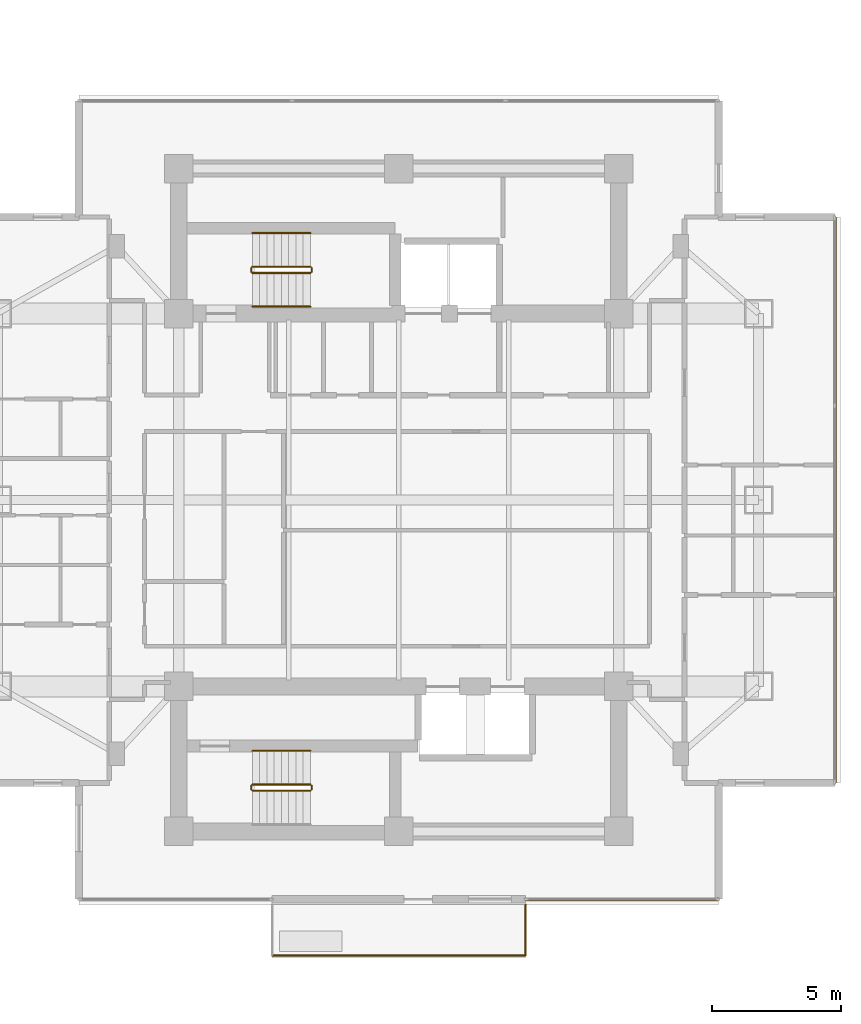
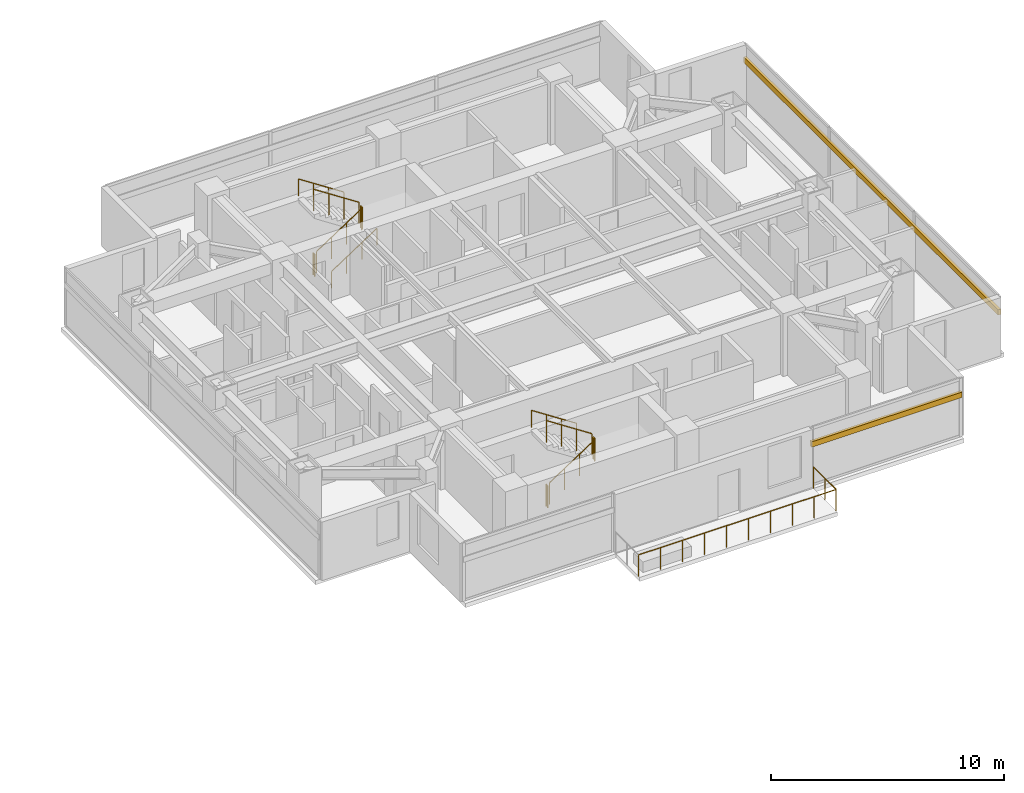
# One storey, part 23 of 24: 13 railings, 2 shading devices.
"""IFC4 building model written with IfcOpenShell, lengths in metres."""

from ifc_helpers import new_model, si_unit, direction, frame, origin, origin_2d, place, context, subcontext, project, spatial, rectangle, circle, extrude, material, material_profile, profile_set, type_object, element, save


model = new_model("IFC4")

# Units and contexts
model_context = context("Model", 3, precision=1e-05, world=origin(), true_north=direction((0.0, 1.0)))
body_context = subcontext(model_context, "Body", "Model", "MODEL_VIEW")
ifc_project = project(units=[si_unit("LENGTHUNIT", "METRE"), si_unit("AREAUNIT", "SQUARE_METRE"), si_unit("VOLUMEUNIT", "CUBIC_METRE"), si_unit("PLANEANGLEUNIT", "RADIAN"), si_unit("MASSUNIT", "GRAM", prefix="KILO")], contexts=[model_context])

# Site, building, storey
site_placement = place(None, origin())
site = spatial("IfcSite", under=ifc_project, at=site_placement, CompositionType="ELEMENT")
building_placement = place(site_placement, origin())
building = spatial("IfcBuilding", under=site, at=building_placement, Name="Mirazonda Arch Towers", CompositionType="ELEMENT")
storey_placement = place(building_placement, frame((0.0, 0.0, 118.10009765625)))
storey = spatial("IfcBuildingStorey", under=building, at=storey_placement, Name="L33", CompositionType="ELEMENT", Elevation=118.10009765625)

# Shading devices
ifc_material_1 = material(Name="Kiln-Fired Architectural Terracotta", Category="masonry")
ifc_material_profile = material_profile(ifc_material_1, rectangle(XDim=0.139892578125, YDim=0.280029296875, at=origin_2d()), Name="TERRA-BAG-140x280")
ifc_profile_set = profile_set([ifc_material_profile], Name="Kiln-Fired Architectural Terracotta")
shading_device_type = type_object("IfcShadingDeviceType", Name="BAGUETTE-3", PredefinedType="USERDEFINED", material=ifc_profile_set)
shading_device_1_placement = place(storey_placement, frame((88.8583984375, 12.5810546875, 2.203125), z_axis=(-1.0, 0.0, 0.0), x_axis=(0.0, -1.0, 0.0)))
element("IfcShadingDevice", 1, at=shading_device_1_placement, inside=storey, type_object=shading_device_type, Name="L33 Glazed Terracotta Sun-Screen Baguette CW-L33-T2-SA", ObjectType="BAGUETTE", PredefinedType="USERDEFINED", context=body_context, shape_type="SweptSolid", body=[
    extrude(rectangle(XDim=0.139892578125, YDim=0.280029296875, at=origin_2d()), origin(), (0.0, 0.0, 1.0), 7.468505859375),
])
shading_device_2_placement = place(storey_placement, frame((93.344970703125, 17.0673828125, 2.203125), z_axis=(0.0, 1.0, 0.0), x_axis=(-1.0, 0.0, 0.0)))
element("IfcShadingDevice", 2, at=shading_device_2_placement, inside=storey, type_object=shading_device_type, Name="L33 Glazed Terracotta Sun-Screen Baguette CW-L33-T2-E", ObjectType="BAGUETTE", PredefinedType="USERDEFINED", context=body_context, shape_type="SweptSolid", body=[
    extrude(rectangle(XDim=0.139892578125, YDim=0.280029296875, at=origin_2d()), origin(), (0.0, 0.0, 1.0), 21.865234375),
])

# Railings
ifc_material_2 = material(Name="Architectural Brushed Steel S355", Category="steel")
railing_type_1 = type_object("IfcRailingType", Name="GUARD-EXT-1150", PredefinedType="GUARDRAIL", material=ifc_material_2)
railing_1_placement = place(storey_placement, frame((81.39990234375, 12.37109375, 0.0)))
element("IfcRailing", 3, at=railing_1_placement, inside=storey, type_object=railing_type_1, Name="L33 T2 Sky-Terrace Guard 01", PredefinedType="GUARDRAIL", context=body_context, shape_type="SweptSolid", body=[
    extrude(circle(Radius=0.02392578125, at=origin_2d()), frame((0.0, 0.0, 1.1259765625), z_axis=(0.0, -1.0, 0.0), x_axis=(1.0, 0.0, 0.0)), (0.0, 0.0, 1.0), 1.960205078125),
    extrude(circle(Radius=0.02099609375, at=origin_2d()), origin(), (0.0, 0.0, 1.0), 1.101806640625),
    extrude(circle(Radius=0.02099609375, at=origin_2d()), frame((0.0, -0.97998046875, 0.0)), (0.0, 0.0, 1.0), 1.101806640625),
    extrude(circle(Radius=0.02099609375, at=origin_2d()), frame((0.0, -1.960205078125, 0.0)), (0.0, 0.0, 1.0), 1.101806640625),
])
railing_2_placement = place(storey_placement, frame((81.39990234375, 10.410888671875, 0.0)))
element("IfcRailing", 4, at=railing_2_placement, inside=storey, type_object=railing_type_1, Name="L33 T2 Sky-Terrace Guard 02", PredefinedType="GUARDRAIL", context=body_context, shape_type="SweptSolid", body=[
    extrude(circle(Radius=0.02392578125, at=origin_2d()), frame((0.0, 0.0, 1.1259765625), z_axis=(-1.0, 0.0, 0.0), x_axis=(0.0, -1.0, 0.0)), (0.0, 0.0, 1.0), 9.7998046875),
    extrude(circle(Radius=0.02099609375, at=origin_2d()), origin(), (0.0, 0.0, 1.0), 1.101806640625),
    extrude(circle(Radius=0.02099609375, at=origin_2d()), frame((-1.0888671875, 0.0, 0.0)), (0.0, 0.0, 1.0), 1.101806640625),
    extrude(circle(Radius=0.02099609375, at=origin_2d()), frame((-2.177734375, 0.0, 0.0)), (0.0, 0.0, 1.0), 1.101806640625),
    extrude(circle(Radius=0.02099609375, at=origin_2d()), frame((-3.2666015625, 0.0, 0.0)), (0.0, 0.0, 1.0), 1.101806640625),
    extrude(circle(Radius=0.02099609375, at=origin_2d()), frame((-4.35546875, 0.0, 0.0)), (0.0, 0.0, 1.0), 1.101806640625),
    extrude(circle(Radius=0.02099609375, at=origin_2d()), frame((-5.4443359375, 0.0, 0.0)), (0.0, 0.0, 1.0), 1.101806640625),
    extrude(circle(Radius=0.02099609375, at=origin_2d()), frame((-6.533203125, 0.0, 0.0)), (0.0, 0.0, 1.0), 1.101806640625),
    extrude(circle(Radius=0.02099609375, at=origin_2d()), frame((-7.6220703125, 0.0, 0.0)), (0.0, 0.0, 1.0), 1.101806640625),
    extrude(circle(Radius=0.02099609375, at=origin_2d()), frame((-8.7109375, 0.0, 0.0)), (0.0, 0.0, 1.0), 1.101806640625),
    extrude(circle(Radius=0.02099609375, at=origin_2d()), frame((-9.7998046875, 0.0, 0.0)), (0.0, 0.0, 1.0), 1.101806640625),
])
railing_type_2 = type_object("IfcRailingType", Name="GUARD-STAIR-1120", PredefinedType="GUARDRAIL", material=ifc_material_2)
railing_3_placement = place(storey_placement, frame((70.85009765625, 36.77001953125, 0.183349609375)))
element("IfcRailing", 5, at=railing_3_placement, inside=storey, type_object=railing_type_2, Name="L33 ST-T2N stair guard 1", PredefinedType="GUARDRAIL", context=body_context, shape_type="SweptSolid", body=[
    extrude(circle(Radius=0.02392578125, at=origin_2d()), frame((0.0, 0.0, 1.1259765625), z_axis=(0.836636935527, 0.0, 0.547757827979), x_axis=(0.0, 1.0, 0.0)), (0.0, 0.0, 1.0), 2.677490234375),
    extrude(circle(Radius=0.02099609375, at=origin_2d()), origin(), (0.0, 0.0, 1.0), 1.101806640625),
    extrude(circle(Radius=0.02099609375, at=origin_2d()), frame((0.74658203125, 0.0, 0.48876953125)), (0.0, 0.0, 1.0), 1.101806640625),
    extrude(circle(Radius=0.02099609375, at=origin_2d()), frame((1.493408203125, 0.0, 0.977783203125)), (0.0, 0.0, 1.0), 1.101806640625),
    extrude(circle(Radius=0.02099609375, at=origin_2d()), frame((2.239990234375, 0.0, 1.466552734375)), (0.0, 0.0, 1.0), 1.101806640625),
])
railing_4_placement = place(storey_placement, frame((73.139892578125, 36.820068359375, 1.64990234375)))
element("IfcRailing", 6, at=railing_4_placement, inside=storey, type_object=railing_type_2, Name="L33 ST-T2N stair guard 2", PredefinedType="GUARDRAIL", context=body_context, shape_type="SweptSolid", body=[
    extrude(circle(Radius=0.02392578125, at=origin_2d()), frame((0.0, 0.0, 1.1259765625), z_axis=(0.0, 1.0, 0.0), x_axis=(-1.0, 0.0, 0.0)), (0.0, 0.0, 1.0), 0.139892578125),
    extrude(circle(Radius=0.02099609375, at=origin_2d()), origin(), (0.0, 0.0, 1.0), 1.101806640625),
    extrude(circle(Radius=0.02099609375, at=origin_2d()), frame((0.0, 0.139892578125, 0.0)), (0.0, 0.0, 1.0), 1.101806640625),
])
railing_5_placement = place(storey_placement, frame((73.090087890625, 37.010009765625, 1.833251953125)))
element("IfcRailing", 7, at=railing_5_placement, inside=storey, type_object=railing_type_2, Name="L33 ST-T2N stair guard 3", PredefinedType="GUARDRAIL", context=body_context, shape_type="SweptSolid", body=[
    extrude(circle(Radius=0.02392578125, at=origin_2d()), frame((0.0, 0.0, 1.1259765625), z_axis=(-0.836636935527, 0.0, 0.547757827979), x_axis=(0.0, -1.0, 0.0)), (0.0, 0.0, 1.0), 2.677490234375),
    extrude(circle(Radius=0.02099609375, at=origin_2d()), origin(), (0.0, 0.0, 1.0), 1.101806640625),
    extrude(circle(Radius=0.02099609375, at=origin_2d()), frame((-0.74658203125, 0.0, 0.48876953125)), (0.0, 0.0, 1.0), 1.101806640625),
    extrude(circle(Radius=0.02099609375, at=origin_2d()), frame((-1.493408203125, 0.0, 0.977783203125)), (0.0, 0.0, 1.0), 1.101806640625),
    extrude(circle(Radius=0.02099609375, at=origin_2d()), frame((-2.239990234375, 0.0, 1.466552734375)), (0.0, 0.0, 1.0), 1.101806640625),
])
railing_6_placement = place(storey_placement, frame((70.800048828125, 36.820068359375, 0.0)))
element("IfcRailing", 8, at=railing_6_placement, inside=storey, type_object=railing_type_2, Name="L33 ST-T2N stair guard 4", PredefinedType="GUARDRAIL", context=body_context, shape_type="SweptSolid", body=[
    extrude(circle(Radius=0.02392578125, at=origin_2d()), frame((0.0, 0.0, 1.1259765625), z_axis=(0.0, 1.0, 0.0), x_axis=(-1.0, 0.0, 0.0)), (0.0, 0.0, 1.0), 0.139892578125),
    extrude(circle(Radius=0.02099609375, at=origin_2d()), origin(), (0.0, 0.0, 1.0), 1.101806640625),
    extrude(circle(Radius=0.02099609375, at=origin_2d()), frame((0.0, 0.139892578125, 0.0)), (0.0, 0.0, 1.0), 1.101806640625),
])
railing_7_placement = place(storey_placement, frame((70.85009765625, 16.77001953125, 0.183349609375)))
element("IfcRailing", 9, at=railing_7_placement, inside=storey, type_object=railing_type_2, Name="L33 ST-T2S stair guard 1", PredefinedType="GUARDRAIL", context=body_context, shape_type="SweptSolid", body=[
    extrude(circle(Radius=0.02392578125, at=origin_2d()), frame((0.0, 0.0, 1.1259765625), z_axis=(0.836636935527, 0.0, 0.547757827979), x_axis=(0.0, 1.0, 0.0)), (0.0, 0.0, 1.0), 2.677490234375),
    extrude(circle(Radius=0.02099609375, at=origin_2d()), origin(), (0.0, 0.0, 1.0), 1.101806640625),
    extrude(circle(Radius=0.02099609375, at=origin_2d()), frame((0.74658203125, 0.0, 0.48876953125)), (0.0, 0.0, 1.0), 1.101806640625),
    extrude(circle(Radius=0.02099609375, at=origin_2d()), frame((1.493408203125, 0.0, 0.977783203125)), (0.0, 0.0, 1.0), 1.101806640625),
    extrude(circle(Radius=0.02099609375, at=origin_2d()), frame((2.239990234375, 0.0, 1.466552734375)), (0.0, 0.0, 1.0), 1.101806640625),
])
railing_8_placement = place(storey_placement, frame((73.139892578125, 16.820068359375, 1.64990234375)))
element("IfcRailing", 10, at=railing_8_placement, inside=storey, type_object=railing_type_2, Name="L33 ST-T2S stair guard 2", PredefinedType="GUARDRAIL", context=body_context, shape_type="SweptSolid", body=[
    extrude(circle(Radius=0.02392578125, at=origin_2d()), frame((0.0, 0.0, 1.1259765625), z_axis=(0.0, 1.0, 0.0), x_axis=(-1.0, 0.0, 0.0)), (0.0, 0.0, 1.0), 0.139892578125),
    extrude(circle(Radius=0.02099609375, at=origin_2d()), origin(), (0.0, 0.0, 1.0), 1.101806640625),
    extrude(circle(Radius=0.02099609375, at=origin_2d()), frame((0.0, 0.139892578125, 0.0)), (0.0, 0.0, 1.0), 1.101806640625),
])
railing_9_placement = place(storey_placement, frame((73.090087890625, 17.010009765625, 1.833251953125)))
element("IfcRailing", 11, at=railing_9_placement, inside=storey, type_object=railing_type_2, Name="L33 ST-T2S stair guard 3", PredefinedType="GUARDRAIL", context=body_context, shape_type="SweptSolid", body=[
    extrude(circle(Radius=0.02392578125, at=origin_2d()), frame((0.0, 0.0, 1.1259765625), z_axis=(-0.836636935527, 0.0, 0.547757827979), x_axis=(0.0, -1.0, 0.0)), (0.0, 0.0, 1.0), 2.677490234375),
    extrude(circle(Radius=0.02099609375, at=origin_2d()), origin(), (0.0, 0.0, 1.0), 1.101806640625),
    extrude(circle(Radius=0.02099609375, at=origin_2d()), frame((-0.74658203125, 0.0, 0.48876953125)), (0.0, 0.0, 1.0), 1.101806640625),
    extrude(circle(Radius=0.02099609375, at=origin_2d()), frame((-1.493408203125, 0.0, 0.977783203125)), (0.0, 0.0, 1.0), 1.101806640625),
    extrude(circle(Radius=0.02099609375, at=origin_2d()), frame((-2.239990234375, 0.0, 1.466552734375)), (0.0, 0.0, 1.0), 1.101806640625),
])
railing_10_placement = place(storey_placement, frame((70.800048828125, 16.820068359375, 0.0)))
element("IfcRailing", 12, at=railing_10_placement, inside=storey, type_object=railing_type_2, Name="L33 ST-T2S stair guard 4", PredefinedType="GUARDRAIL", context=body_context, shape_type="SweptSolid", body=[
    extrude(circle(Radius=0.02392578125, at=origin_2d()), frame((0.0, 0.0, 1.1259765625), z_axis=(0.0, 1.0, 0.0), x_axis=(-1.0, 0.0, 0.0)), (0.0, 0.0, 1.0), 0.139892578125),
    extrude(circle(Radius=0.02099609375, at=origin_2d()), origin(), (0.0, 0.0, 1.0), 1.101806640625),
    extrude(circle(Radius=0.02099609375, at=origin_2d()), frame((0.0, 0.139892578125, 0.0)), (0.0, 0.0, 1.0), 1.101806640625),
])
railing_type_3 = type_object("IfcRailingType", Name="HANDRAIL-915", PredefinedType="HANDRAIL", material=ifc_material_2)
railing_11_placement = place(storey_placement, frame((70.85009765625, 35.469970703125, 0.183349609375)))
element("IfcRailing", 13, at=railing_11_placement, inside=storey, type_object=railing_type_3, Name="L33 ST-T2N stair handrail 1", PredefinedType="HANDRAIL", context=body_context, shape_type="SweptSolid", body=[
    extrude(circle(Radius=0.02392578125, at=origin_2d()), frame((0.0, 0.0, 0.8759765625), z_axis=(0.836636935527, 0.0, 0.547757827979), x_axis=(0.0, 1.0, 0.0)), (0.0, 0.0, 1.0), 2.677490234375),
    extrude(circle(Radius=0.02099609375, at=origin_2d()), origin(), (0.0, 0.0, 1.0), 0.851806640625),
    extrude(circle(Radius=0.02099609375, at=origin_2d()), frame((0.74658203125, 0.0, 0.48876953125)), (0.0, 0.0, 1.0), 0.851806640625),
    extrude(circle(Radius=0.02099609375, at=origin_2d()), frame((1.493408203125, 0.0, 0.977783203125)), (0.0, 0.0, 1.0), 0.851806640625),
    extrude(circle(Radius=0.02099609375, at=origin_2d()), frame((2.239990234375, 0.0, 1.466552734375)), (0.0, 0.0, 1.0), 0.851806640625),
])
for number, where, name in (
    (14, (73.090087890625, 38.31005859375, 1.833251953125), "L33 ST-T2N stair handrail 2"),
    (15, (73.090087890625, 18.31005859375, 1.833251953125), "L33 ST-T2S stair handrail 2"),
):
    element("IfcRailing", number, at=place(storey_placement, frame(where)), inside=storey, type_object=railing_type_3, Name=name, PredefinedType="HANDRAIL", context=body_context, shape_type="SweptSolid", body=[
        extrude(circle(Radius=0.02392578125, at=origin_2d()), frame((0.0, 0.0, 0.8759765625), z_axis=(-0.836636935527, 0.0, 0.547757827979), x_axis=(0.0, -1.0, 0.0)), (0.0, 0.0, 1.0), 2.677490234375),
        extrude(circle(Radius=0.02099609375, at=origin_2d()), origin(), (0.0, 0.0, 1.0), 0.851806640625),
        extrude(circle(Radius=0.02099609375, at=origin_2d()), frame((-0.74658203125, 0.0, 0.48876953125)), (0.0, 0.0, 1.0), 0.851806640625),
        extrude(circle(Radius=0.02099609375, at=origin_2d()), frame((-1.493408203125, 0.0, 0.977783203125)), (0.0, 0.0, 1.0), 0.851806640625),
        extrude(circle(Radius=0.02099609375, at=origin_2d()), frame((-2.239990234375, 0.0, 1.466552734375)), (0.0, 0.0, 1.0), 0.851806640625),
    ])

save(model, "model.ifc")
